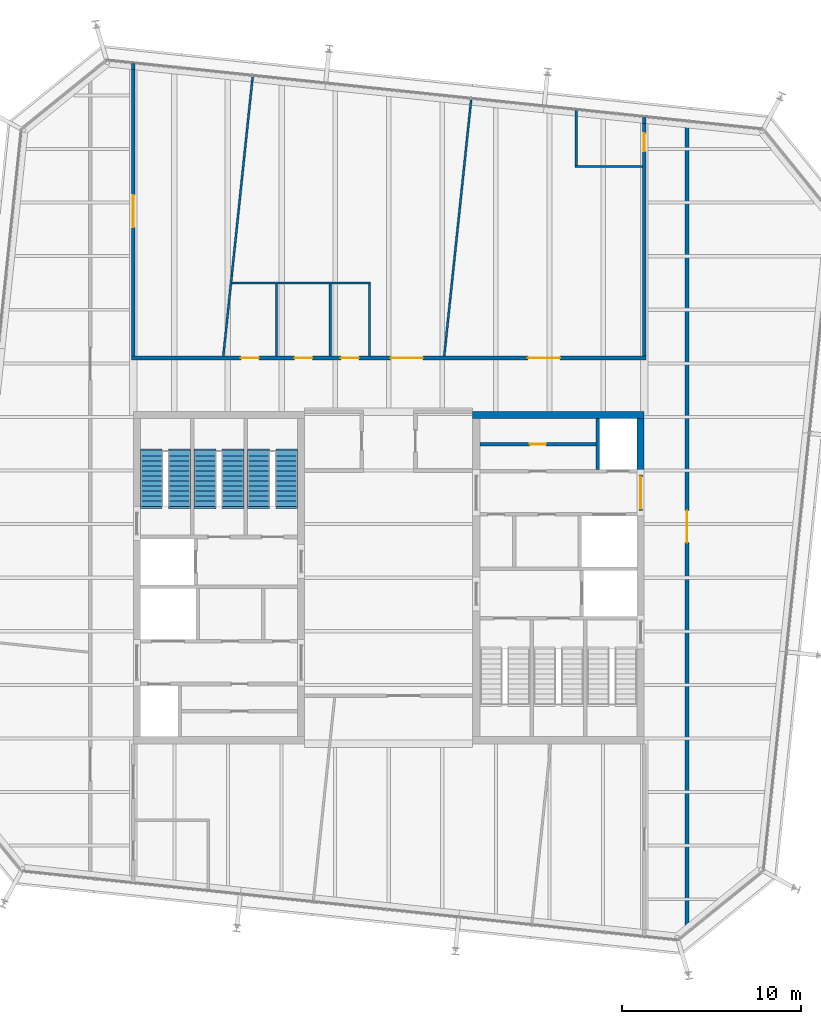
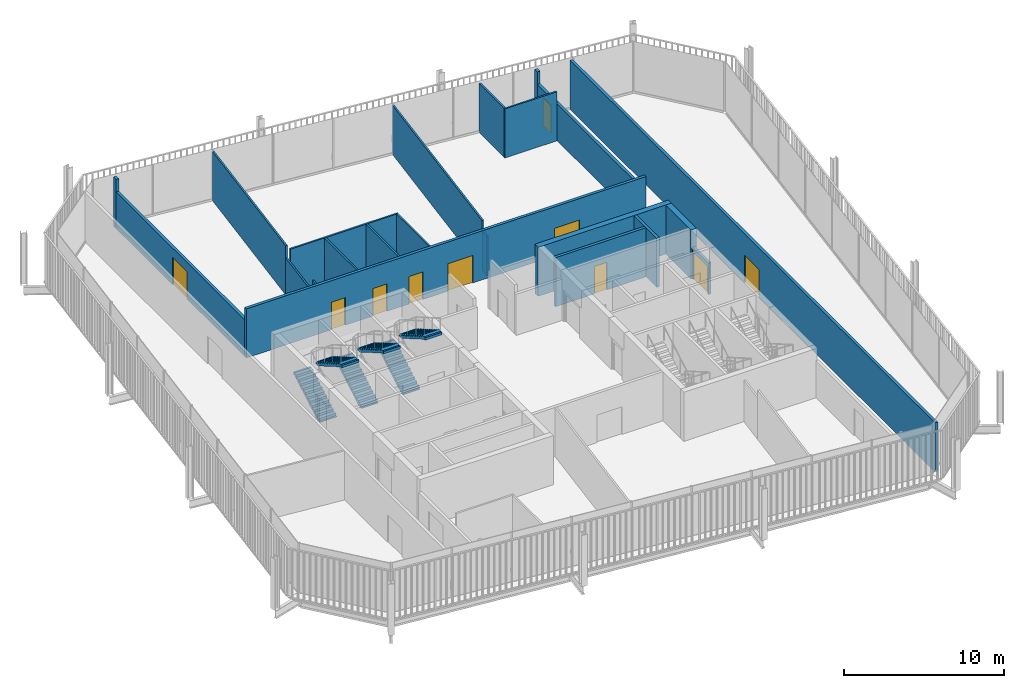
# One storey, part 18 of 20: 22 walls, 10 doors, 6 stair flights, 10 openings, 3 elements without a shape of their own.
"""IFC4 building model written with IfcOpenShell, lengths in metres."""

from ifc_helpers import new_model, si_unit, direction, frame, frame_2d, origin, place, context, subcontext, project, spatial, polyline, rectangle, outline, extrude, material, layer, layer_set, type_object, element, fill, aggregate, save


model = new_model("IFC4")

# Units and contexts
model_context = context("Model", 3, precision=1e-05, world=origin(), true_north=direction((0.0, 1.0)))
body_context = subcontext(model_context, "Body", "Model", "MODEL_VIEW")
ifc_project = project(units=[si_unit("LENGTHUNIT", "METRE"), si_unit("AREAUNIT", "SQUARE_METRE"), si_unit("VOLUMEUNIT", "CUBIC_METRE"), si_unit("PLANEANGLEUNIT", "RADIAN"), si_unit("MASSUNIT", "GRAM", prefix="KILO")], contexts=[model_context])

# Site, building, storey
site_placement = place(None, origin())
site = spatial("IfcSite", under=ifc_project, at=site_placement, CompositionType="ELEMENT")
building_placement = place(site_placement, origin())
building = spatial("IfcBuilding", under=site, at=building_placement, Name="Millrace Tower", CompositionType="ELEMENT")
storey_placement = place(building_placement, frame((0.0, 0.0, 303.300048828125)))
storey = spatial("IfcBuildingStorey", under=building, at=storey_placement, Name="L70", CompositionType="ELEMENT", Elevation=303.300048828125)

# Walls
ifc_material_1 = material(Name="Concrete C60", Category="concrete")
ifc_layer_1 = layer(ifc_material_1, 0.39990234375)
ifc_layer_set_1 = layer_set([ifc_layer_1], Name="Concrete C60")
wall_type_1 = type_object("IfcWallType", Name="Core wall 400 Concrete C60", PredefinedType="SHEAR", material=ifc_layer_set_1)
wall_1_placement = place(storey_placement, frame((14.300048828125, 9.10009765625, 0.0), z_axis=(0.0, 0.0, 1.0), x_axis=(-1.0, 0.0, 0.0)))
element("IfcWall", 1, at=wall_1_placement, inside=storey, type_object=wall_type_1, Name="Core wall E L70", PredefinedType="SHEAR", context=body_context, shape_type="SweptSolid", body=[
    extrude(rectangle(XDim=9.60009765625, YDim=0.39990234375, at=frame_2d((4.800048828125, 0.0))), origin(), (0.0, 0.0, 1.0), 3.739990234375),
])
wall_2_placement = place(storey_placement, frame((14.10009765625, 8.89990234375, 0.0), z_axis=(0.0, 0.0, 1.0), x_axis=(0.0, -1.0, 0.0)))
element("IfcWall", 2, at=wall_2_placement, inside=storey, type_object=wall_type_1, Name="Core wall E L70", PredefinedType="SHEAR", context=body_context, shape_type="SweptSolid", body=[
    extrude(rectangle(XDim=3.14990234375, YDim=0.39990234375, at=frame_2d((1.574951171875, 0.0))), origin(), (0.0, 0.0, 1.0), 3.739990234375),
])

# Wall, openings, doors
ifc_material_2 = material(Name="Masonry partition, fire-rated", Category="masonry")
ifc_layer_2 = layer(ifc_material_2, 0.199951171875)
ifc_layer_set_2 = layer_set([ifc_layer_2], Name="Masonry partition, fire-rated")
wall_type_2 = type_object("IfcWallType", Name="Corridor wall 200", PredefinedType="PARTITIONING", material=ifc_layer_set_2)
wall_3_placement = place(storey_placement, frame((-14.39990234375, 12.300048828125, 0.0), z_axis=(0.0, 0.0, 1.0), x_axis=(1.0, 0.0, 0.0)))
wall_3 = element("IfcWall", 3, at=wall_3_placement, inside=storey, type_object=wall_type_2, Name="Corridor wall L70", PredefinedType="PARTITIONING", context=body_context, shape_type="SweptSolid", body=[
    extrude(rectangle(XDim=28.7998046875, YDim=0.199951171875, at=frame_2d((14.39990234375, 0.0))), origin(), (0.0, 0.0, 1.0), 3.739990234375),
])
opening_1_placement = place(wall_3_placement, frame((14.512939453125, 0.0, 0.0)))
opening_1 = element("IfcOpeningElement", 4, at=opening_1_placement, cuts=wall_3, Name="Opening 70-P006", PredefinedType="OPENING", context=body_context, shape_type="SweptSolid", body=[
    extrude(rectangle(XDim=1.800048828125, YDim=2.10009765625, at=frame_2d((0.89990234375, 1.050048828125))), frame((0.0, 0.10986328125, 0.0), z_axis=(0.0, -1.0, 0.0), x_axis=(1.0, 0.0, 0.0)), (0.0, 0.0, 1.0), 0.219970703125),
])
opening_2_placement = place(wall_3_placement, frame((22.198486328125, 0.0, 0.0)))
opening_2 = element("IfcOpeningElement", 5, at=opening_2_placement, cuts=wall_3, Name="Opening 70-P007", PredefinedType="OPENING", context=body_context, shape_type="SweptSolid", body=[
    extrude(rectangle(XDim=1.800048828125, YDim=2.10009765625, at=frame_2d((0.89990234375, 1.050048828125))), frame((0.0, 0.10986328125, 0.0), z_axis=(0.0, -1.0, 0.0), x_axis=(1.0, 0.0, 0.0)), (0.0, 0.0, 1.0), 0.219970703125),
])
opening_3_placement = place(wall_3_placement, frame((6.12890625, 0.0, 0.0)))
opening_3 = element("IfcOpeningElement", 6, at=opening_3_placement, cuts=wall_3, Name="Opening 70-P014", PredefinedType="OPENING", context=body_context, shape_type="SweptSolid", body=[
    extrude(rectangle(XDim=1.0, YDim=2.10009765625, at=frame_2d((0.5, 1.050048828125))), frame((0.0, 0.10986328125, 0.0), z_axis=(0.0, -1.0, 0.0), x_axis=(1.0, 0.0, 0.0)), (0.0, 0.0, 1.0), 0.219970703125),
])
opening_4_placement = place(wall_3_placement, frame((9.12890625, 0.0, 0.0)))
opening_4 = element("IfcOpeningElement", 7, at=opening_4_placement, cuts=wall_3, Name="Opening 70-P015", PredefinedType="OPENING", context=body_context, shape_type="SweptSolid", body=[
    extrude(rectangle(XDim=1.0, YDim=2.10009765625, at=frame_2d((0.5, 1.050048828125))), frame((0.0, 0.10986328125, 0.0), z_axis=(0.0, -1.0, 0.0), x_axis=(1.0, 0.0, 0.0)), (0.0, 0.0, 1.0), 0.219970703125),
])
opening_5_placement = place(wall_3_placement, frame((11.72900390625, 0.0, 0.0)))
opening_5 = element("IfcOpeningElement", 8, at=opening_5_placement, cuts=wall_3, Name="Opening 70-P016", PredefinedType="OPENING", context=body_context, shape_type="SweptSolid", body=[
    extrude(rectangle(XDim=1.0, YDim=2.10009765625, at=frame_2d((0.5, 1.050048828125))), frame((0.0, 0.10986328125, 0.0), z_axis=(0.0, -1.0, 0.0), x_axis=(1.0, 0.0, 0.0)), (0.0, 0.0, 1.0), 0.219970703125),
])
ifc_material_3 = material(Name="Steel door set, fire-rated", Category="steel")
door_type_1 = type_object("IfcDoorType", Name="Corridor door 1000 x 2100", OperationType="SINGLE_SWING_LEFT", PredefinedType="DOOR", material=ifc_material_3)
door_1_placement = place(opening_3_placement, origin())
door_1 = element("IfcDoor", 9, at=door_1_placement, inside=storey, type_object=door_type_1, Name="Door 70-P014", OperationType="SINGLE_SWING_LEFT", OverallHeight=2.10009765625, OverallWidth=1.0, PredefinedType="DOOR", context=body_context, shape_type="SweptSolid", body=[
    extrude(rectangle(XDim=1.0, YDim=2.10009765625, at=frame_2d((0.5, 1.050048828125))), frame((0.0, 0.02490234375, 0.0), z_axis=(0.0, -1.0, 0.0), x_axis=(1.0, 0.0, 0.0)), (0.0, 0.0, 1.0), 0.050048828125),
])
fill(opening_3, door_1)
door_2_placement = place(opening_4_placement, origin())
door_2 = element("IfcDoor", 10, at=door_2_placement, inside=storey, type_object=door_type_1, Name="Door 70-P015", OperationType="SINGLE_SWING_LEFT", OverallHeight=2.10009765625, OverallWidth=1.0, PredefinedType="DOOR", context=body_context, shape_type="SweptSolid", body=[
    extrude(rectangle(XDim=1.0, YDim=2.10009765625, at=frame_2d((0.5, 1.050048828125))), frame((0.0, 0.02490234375, 0.0), z_axis=(0.0, -1.0, 0.0), x_axis=(1.0, 0.0, 0.0)), (0.0, 0.0, 1.0), 0.050048828125),
])
fill(opening_4, door_2)
door_3_placement = place(opening_5_placement, origin())
door_3 = element("IfcDoor", 11, at=door_3_placement, inside=storey, type_object=door_type_1, Name="Door 70-P016", OperationType="SINGLE_SWING_LEFT", OverallHeight=2.10009765625, OverallWidth=1.0, PredefinedType="DOOR", context=body_context, shape_type="SweptSolid", body=[
    extrude(rectangle(XDim=1.0, YDim=2.10009765625, at=frame_2d((0.5, 1.050048828125))), frame((0.0, 0.02490234375, 0.0), z_axis=(0.0, -1.0, 0.0), x_axis=(1.0, 0.0, 0.0)), (0.0, 0.0, 1.0), 0.050048828125),
])
fill(opening_5, door_3)
ifc_material_4 = material(Name="Steel door set, fire-rated", Category="steel")
door_type_2 = type_object("IfcDoorType", Name="Corridor door 1800 x 2100", OperationType="DOUBLE_DOOR_SINGLE_SWING", PredefinedType="DOOR", material=ifc_material_4)
door_4_placement = place(opening_1_placement, frame((1.800048828125, 0.0, 0.0), z_axis=(0.0, 0.0, 1.0), x_axis=(-1.0, 0.0, 0.0)))
door_4 = element("IfcDoor", 12, at=door_4_placement, inside=storey, type_object=door_type_2, Name="Door 70-P006", OperationType="DOUBLE_DOOR_SINGLE_SWING", OverallHeight=2.10009765625, OverallWidth=1.800048828125, PredefinedType="DOOR", context=body_context, shape_type="SweptSolid", body=[
    extrude(rectangle(XDim=1.800048828125, YDim=2.10009765625, at=frame_2d((0.89990234375, 1.050048828125))), frame((0.0, 0.02490234375, 0.0), z_axis=(0.0, -1.0, 0.0), x_axis=(1.0, 0.0, 0.0)), (0.0, 0.0, 1.0), 0.050048828125),
])
fill(opening_1, door_4)
door_5_placement = place(opening_2_placement, origin())
door_5 = element("IfcDoor", 13, at=door_5_placement, inside=storey, type_object=door_type_2, Name="Door 70-P007", OperationType="DOUBLE_DOOR_SINGLE_SWING", OverallHeight=2.10009765625, OverallWidth=1.800048828125, PredefinedType="DOOR", context=body_context, shape_type="SweptSolid", body=[
    extrude(rectangle(XDim=1.800048828125, YDim=2.10009765625, at=frame_2d((0.89990234375, 1.050048828125))), frame((0.0, 0.02490234375, 0.0), z_axis=(0.0, -1.0, 0.0), x_axis=(1.0, 0.0, 0.0)), (0.0, 0.0, 1.0), 0.050048828125),
])
fill(opening_2, door_5)

# Wall, opening, door
wall_4_placement = place(storey_placement, frame((16.699951171875, -20.01416015625, 0.0), z_axis=(0.0, 0.0, 1.0), x_axis=(0.0, 1.0, 0.0)))
wall_4 = element("IfcWall", 14, at=wall_4_placement, inside=storey, type_object=wall_type_2, Name="Corridor wall L70", PredefinedType="PARTITIONING", context=body_context, shape_type="SweptSolid", body=[
    extrude(rectangle(XDim=45.535400390625, YDim=0.199951171875, at=frame_2d((22.767578125, 0.0))), origin(), (0.0, 0.0, 1.0), 3.739990234375),
])
opening_6_placement = place(wall_4_placement, frame((21.974609375, 0.0, 0.0)))
opening_6 = element("IfcOpeningElement", 15, at=opening_6_placement, cuts=wall_4, Name="Opening 70-P009", PredefinedType="OPENING", context=body_context, shape_type="SweptSolid", body=[
    extrude(rectangle(XDim=1.800048828125, YDim=2.10009765625, at=frame_2d((0.89990234375, 1.050048828125))), frame((0.0, 0.10986328125, 0.0), z_axis=(0.0, -1.0, 0.0), x_axis=(1.0, 0.0, 0.0)), (0.0, 0.0, 1.0), 0.219970703125),
])
door_6_placement = place(opening_6_placement, origin())
door_6 = element("IfcDoor", 16, at=door_6_placement, inside=storey, type_object=door_type_2, Name="Door 70-P009", OperationType="DOUBLE_DOOR_SINGLE_SWING", OverallHeight=2.10009765625, OverallWidth=1.800048828125, PredefinedType="DOOR", context=body_context, shape_type="SweptSolid", body=[
    extrude(rectangle(XDim=1.800048828125, YDim=2.10009765625, at=frame_2d((0.89990234375, 1.050048828125))), frame((0.0, 0.02490234375, 0.0), z_axis=(0.0, -1.0, 0.0), x_axis=(1.0, 0.0, 0.0)), (0.0, 0.0, 1.0), 0.050048828125),
])
fill(opening_6, door_6)

wall_5_placement = place(storey_placement, frame((14.300048828125, 12.39990234375, 0.0), z_axis=(0.0, 0.0, 1.0), x_axis=(0.0, 1.0, 0.0)))
wall_5 = element("IfcWall", 17, at=wall_5_placement, inside=storey, type_object=wall_type_2, Name="Corridor wall L70", PredefinedType="PARTITIONING", context=body_context, shape_type="SweptSolid", body=[
    extrude(rectangle(XDim=13.034423828125, YDim=0.199951171875, at=frame_2d((6.51708984375, 0.0))), origin(), (0.0, 0.0, 1.0), 2.79248046875),
])
opening_7_placement = place(wall_5_placement, frame((11.472900390625, 0.0, 0.0)))
opening_7 = element("IfcOpeningElement", 18, at=opening_7_placement, cuts=wall_5, Name="Opening 70-P008", PredefinedType="OPENING", context=body_context, shape_type="SweptSolid", body=[
    extrude(rectangle(XDim=1.0, YDim=2.10009765625, at=frame_2d((0.5, 1.050048828125))), frame((0.0, 0.10986328125, 0.0), z_axis=(0.0, -1.0, 0.0), x_axis=(1.0, 0.0, 0.0)), (0.0, 0.0, 1.0), 0.219970703125),
])
door_7_placement = place(opening_7_placement, origin())
door_7 = element("IfcDoor", 19, at=door_7_placement, inside=storey, type_object=door_type_1, Name="Door 70-P008", OperationType="SINGLE_SWING_RIGHT", OverallHeight=2.10009765625, OverallWidth=1.0, PredefinedType="DOOR", context=body_context, shape_type="SweptSolid", body=[
    extrude(rectangle(XDim=1.0, YDim=2.10009765625, at=frame_2d((0.5, 1.050048828125))), frame((0.0, 0.02490234375, 0.0), z_axis=(0.0, -1.0, 0.0), x_axis=(1.0, 0.0, 0.0)), (0.0, 0.0, 1.0), 0.050048828125),
])
fill(opening_7, door_7)

# Wall
wall_6_placement = place(storey_placement, frame((14.300048828125, 25.434326171875, 0.0), z_axis=(0.0, 0.0, 1.0), x_axis=(0.0, 1.0, 0.0)))
element("IfcWall", 20, at=wall_6_placement, inside=storey, type_object=wall_type_2, Name="Corridor wall L70", PredefinedType="PARTITIONING", context=body_context, shape_type="SweptSolid", body=[
    extrude(rectangle(XDim=0.339111328125, YDim=0.199951171875, at=frame_2d((0.16943359375, 0.0))), origin(), (0.0, 0.0, 1.0), 3.739990234375),
])

# Wall, opening, door
wall_7_placement = place(storey_placement, frame((-14.300048828125, 12.39990234375, 0.0), z_axis=(0.0, 0.0, 1.0), x_axis=(0.0, 1.0, 0.0)))
wall_7 = element("IfcWall", 21, at=wall_7_placement, inside=storey, type_object=wall_type_2, Name="Corridor wall L70", PredefinedType="PARTITIONING", context=body_context, shape_type="SweptSolid", body=[
    extrude(rectangle(XDim=16.040283203125, YDim=0.199951171875, at=frame_2d((8.02001953125, 0.0))), origin(), (0.0, 0.0, 1.0), 2.79248046875),
])
opening_8_placement = place(wall_7_placement, frame((7.214599609375, 0.0, 0.0)))
opening_8 = element("IfcOpeningElement", 22, at=opening_8_placement, cuts=wall_7, Name="Opening 70-P005", PredefinedType="OPENING", context=body_context, shape_type="SweptSolid", body=[
    extrude(rectangle(XDim=1.800048828125, YDim=2.10009765625, at=frame_2d((0.89990234375, 1.050048828125))), frame((0.0, 0.10986328125, 0.0), z_axis=(0.0, -1.0, 0.0), x_axis=(1.0, 0.0, 0.0)), (0.0, 0.0, 1.0), 0.219970703125),
])
door_8_placement = place(opening_8_placement, frame((1.800048828125, 0.0, 0.0), z_axis=(0.0, 0.0, 1.0), x_axis=(-1.0, 0.0, 0.0)))
door_8 = element("IfcDoor", 23, at=door_8_placement, inside=storey, type_object=door_type_2, Name="Door 70-P005", OperationType="DOUBLE_DOOR_SINGLE_SWING", OverallHeight=2.10009765625, OverallWidth=1.800048828125, PredefinedType="DOOR", context=body_context, shape_type="SweptSolid", body=[
    extrude(rectangle(XDim=1.800048828125, YDim=2.10009765625, at=frame_2d((0.89990234375, 1.050048828125))), frame((0.0, 0.02490234375, 0.0), z_axis=(0.0, -1.0, 0.0), x_axis=(1.0, 0.0, 0.0)), (0.0, 0.0, 1.0), 0.050048828125),
])
fill(opening_8, door_8)

# Walls
wall_8_placement = place(storey_placement, frame((-14.300048828125, 28.440185546875, 0.0), z_axis=(0.0, 0.0, 1.0), x_axis=(0.0, 1.0, 0.0)))
element("IfcWall", 24, at=wall_8_placement, inside=storey, type_object=wall_type_2, Name="Corridor wall L70", PredefinedType="PARTITIONING", context=body_context, shape_type="SweptSolid", body=[
    extrude(rectangle(XDim=0.33935546875, YDim=0.199951171875, at=frame_2d((0.169677734375, 0.0))), origin(), (0.0, 0.0, 1.0), 3.739990234375),
])
ifc_material_5 = material(Name="Masonry partition, fire-rated", Category="masonry")
ifc_layer_3 = layer(ifc_material_5, 0.199951171875)
ifc_layer_set_3 = layer_set([ifc_layer_3], Name="Masonry partition, fire-rated")
wall_type_3 = type_object("IfcWallType", Name="Lift shaft wall 200", PredefinedType="PARTITIONING", material=ifc_layer_set_3)
wall_9_placement = place(storey_placement, frame((11.699951171875, 8.89990234375, 0.0), z_axis=(0.0, 0.0, 1.0), x_axis=(0.0, -1.0, 0.0)))
element("IfcWall", 25, at=wall_9_placement, inside=storey, type_object=wall_type_3, Name="Lift shaft wall E L70", PredefinedType="PARTITIONING", context=body_context, shape_type="SweptSolid", body=[
    extrude(rectangle(XDim=2.849853515625, YDim=0.199951171875, at=frame_2d((1.4248046875, 0.0))), origin(), (0.0, 0.0, 1.0), 3.739990234375),
])

# Wall, opening, door
ifc_material_6 = material(Name="Masonry partition, fire-rated", Category="masonry")
ifc_layer_4 = layer(ifc_material_6, 0.199951171875)
ifc_layer_set_4 = layer_set([ifc_layer_4], Name="Masonry partition, fire-rated")
wall_type_4 = type_object("IfcWallType", Name="Lobby wall 200", PredefinedType="PARTITIONING", material=ifc_layer_set_4)
wall_10_placement = place(storey_placement, frame((14.10009765625, 5.75, 0.0), z_axis=(0.0, 0.0, 1.0), x_axis=(0.0, -1.0, 0.0)))
wall_10 = element("IfcWall", 26, at=wall_10_placement, inside=storey, type_object=wall_type_4, Name="Lobby wall E L70", PredefinedType="PARTITIONING", context=body_context, shape_type="SweptSolid", body=[
    extrude(rectangle(XDim=2.0, YDim=0.199951171875, at=frame_2d((1.0, 0.0))), origin(), (0.0, 0.0, 1.0), 2.39990234375),
])
opening_9_placement = place(wall_10_placement, frame((0.10009765625, 0.0, 0.0)))
opening_9 = element("IfcOpeningElement", 27, at=opening_9_placement, cuts=wall_10, Name="Opening 70-C011", PredefinedType="OPENING", context=body_context, shape_type="SweptSolid", body=[
    extrude(rectangle(XDim=1.800048828125, YDim=2.10009765625, at=frame_2d((0.89990234375, 1.050048828125))), frame((0.0, 0.10986328125, 0.0), z_axis=(0.0, -1.0, 0.0), x_axis=(1.0, 0.0, 0.0)), (0.0, 0.0, 1.0), 0.219970703125),
])
ifc_material_7 = material(Name="Steel door, fire-rated", Category="steel")
door_type_3 = type_object("IfcDoorType", Name="Lobby door 1800 x 2100", OperationType="DOUBLE_DOOR_SINGLE_SWING", PredefinedType="DOOR", material=ifc_material_7)
door_9_placement = place(opening_9_placement, origin())
door_9 = element("IfcDoor", 28, at=door_9_placement, inside=storey, type_object=door_type_3, Name="Lobby door 70-C011", OperationType="DOUBLE_DOOR_SINGLE_SWING", OverallHeight=2.10009765625, OverallWidth=1.800048828125, PredefinedType="DOOR", context=body_context, shape_type="SweptSolid", body=[
    extrude(rectangle(XDim=1.800048828125, YDim=2.10009765625, at=frame_2d((0.89990234375, 1.050048828125))), frame((0.0, 0.02490234375, 0.0), z_axis=(0.0, -1.0, 0.0), x_axis=(1.0, 0.0, 0.0)), (0.0, 0.0, 1.0), 0.050048828125),
])
fill(opening_9, door_9)

# Walls
ifc_material_8 = material(Name="Gypsum board partition")
ifc_layer_5 = layer(ifc_material_8, 0.1201171875)
ifc_layer_set_5 = layer_set([ifc_layer_5], Name="Gypsum board partition")
wall_type_5 = type_object("IfcWallType", Name="Partition wall 120", PredefinedType="PARTITIONING", material=ifc_layer_set_5)
wall_11_placement = place(storey_placement, frame((-8.76904296875, 16.5, 0.0), z_axis=(0.0, 0.0, 1.0), x_axis=(1.0, 0.0, 0.0)))
element("IfcWall", 29, at=wall_11_placement, inside=storey, type_object=wall_type_5, Name="Partition wall L70", PredefinedType="PARTITIONING", context=body_context, shape_type="SweptSolid", body=[
    extrude(rectangle(XDim=7.758056640625, YDim=0.1201171875, at=frame_2d((3.87890625, 0.0))), origin(), (0.0, 0.0, 1.0), 3.739990234375),
])
wall_12_placement = place(storey_placement, frame((10.43994140625, 23.02294921875, 0.0), z_axis=(0.0, 0.0, 1.0), x_axis=(1.0, 0.0, 0.0)))
element("IfcWall", 30, at=wall_12_placement, inside=storey, type_object=wall_type_5, Name="Partition wall L70", PredefinedType="PARTITIONING", context=body_context, shape_type="SweptSolid", body=[
    extrude(rectangle(XDim=3.760009765625, YDim=0.1201171875, at=frame_2d((1.8798828125, 0.0))), origin(), (0.0, 0.0, 1.0), 3.739990234375),
])
wall_13_placement = place(storey_placement, frame((3.107421875, 12.3994140625, 0.0), z_axis=(0.0, 0.0, 1.0), x_axis=(0.104651768543, 0.994508927733, 0.0)))
element("IfcWall", 31, at=wall_13_placement, inside=storey, type_object=wall_type_5, Name="Partition wall L70", PredefinedType="PARTITIONING", context=body_context, shape_type="SweptSolid", body=[
    extrude(rectangle(XDim=0.769775390625, YDim=0.1201171875, at=frame_2d((0.384765625, 0.0))), origin(), (0.0, 0.0, 1.0), 3.046630859375),
])
wall_14_placement = place(storey_placement, frame((3.18798828125, 13.1650390625, 0.0), z_axis=(0.0, 0.0, 1.0), x_axis=(0.104546573109, 0.994519991781, 0.0)))
element("IfcWall", 32, at=wall_14_placement, inside=storey, type_object=wall_type_5, Name="Partition wall L70", PredefinedType="PARTITIONING", context=body_context, shape_type="SweptSolid", body=[
    extrude(rectangle(XDim=13.700927734375, YDim=0.1201171875, at=frame_2d((6.8505859375, 0.0))), origin(), (0.0, 0.0, 1.0), 3.739990234375),
])
wall_15_placement = place(storey_placement, frame((-9.259765625, 12.3994140625, 0.0), z_axis=(0.0, 0.0, 1.0), x_axis=(0.104341736963, 0.994541503371, 0.0)))
element("IfcWall", 33, at=wall_15_placement, inside=storey, type_object=wall_type_5, Name="Partition wall L70", PredefinedType="PARTITIONING", context=body_context, shape_type="SweptSolid", body=[
    extrude(rectangle(XDim=0.444580078125, YDim=0.1201171875, at=frame_2d((0.22216796875, 0.0))), origin(), (0.0, 0.0, 1.0), 3.739990234375),
])
wall_16_placement = place(storey_placement, frame((-9.21337890625, 12.841552734375, 0.0), z_axis=(0.0, 0.0, 1.0), x_axis=(0.104498067841, 0.994525089587, 0.0)))
element("IfcWall", 34, at=wall_16_placement, inside=storey, type_object=wall_type_5, Name="Partition wall L70", PredefinedType="PARTITIONING", context=body_context, shape_type="SweptSolid", body=[
    extrude(rectangle(XDim=4.083984375, YDim=0.1201171875, at=frame_2d((2.0419921875, 0.0))), origin(), (0.0, 0.0, 1.0), 2.812744140625),
])
wall_17_placement = place(storey_placement, frame((-8.78662109375, 16.903076171875, 0.0), z_axis=(0.0, 0.0, 1.0), x_axis=(0.104478910741, 0.994527102301, 0.0)))
element("IfcWall", 35, at=wall_17_placement, inside=storey, type_object=wall_type_5, Name="Partition wall L70", PredefinedType="PARTITIONING", context=body_context, shape_type="SweptSolid", body=[
    extrude(rectangle(XDim=11.235107421875, YDim=0.1201171875, at=frame_2d((5.61767578125, 0.0))), origin(), (0.0, 0.0, 1.0), 3.739990234375),
])
wall_18_placement = place(storey_placement, frame((10.5, 23.0830078125, 0.0), z_axis=(0.0, 0.0, 1.0), x_axis=(0.0, 1.0, 0.0)))
element("IfcWall", 36, at=wall_18_placement, inside=storey, type_object=wall_type_5, Name="Partition wall L70", PredefinedType="PARTITIONING", context=body_context, shape_type="SweptSolid", body=[
    extrude(rectangle(XDim=3.08984375, YDim=0.1201171875, at=frame_2d((1.544921875, 0.0))), origin(), (0.0, 0.0, 1.0), 3.739990234375),
])
for number, where, z_axis, x_axis, name in (
    (37, (-1.071044921875, 12.39990234375, 0.0), (0.0, 0.0, 1.0), (0.0, 1.0, 0.0), "Partition wall L70"),
    (38, (-3.27099609375, 12.39990234375, 0.0), (0.0, 0.0, 1.0), (0.0, 1.0, 0.0), "Partition wall L70"),
    (39, (-6.27099609375, 12.39990234375, 0.0), (0.0, 0.0, 1.0), (0.0, 1.0, 0.0), "Partition wall L70"),
):
    element("IfcWall", number, at=place(storey_placement, frame(where, z_axis=z_axis, x_axis=x_axis)), inside=storey, type_object=wall_type_5, Name=name, PredefinedType="PARTITIONING", context=body_context, shape_type="SweptSolid", body=[
        extrude(rectangle(XDim=4.0400390625, YDim=0.1201171875, at=frame_2d((2.02001953125, 0.0))), origin(), (0.0, 0.0, 1.0), 3.739990234375),
    ])

# Wall, opening, door
ifc_material_9 = material(Name="Masonry partition, fire-rated", Category="masonry")
ifc_layer_6 = layer(ifc_material_9, 0.199951171875)
ifc_layer_set_6 = layer_set([ifc_layer_6], Name="Masonry partition, fire-rated")
wall_type_6 = type_object("IfcWallType", Name="Room partition 200", PredefinedType="PARTITIONING", material=ifc_layer_set_6)
wall_19_placement = place(storey_placement, frame((11.60009765625, 7.47509765625, 0.0), z_axis=(0.0, 0.0, 1.0), x_axis=(-1.0, 0.0, 0.0)))
wall_19 = element("IfcWall", 40, at=wall_19_placement, inside=storey, type_object=wall_type_6, Name="Room partition E L70", PredefinedType="PARTITIONING", context=body_context, shape_type="SweptSolid", body=[
    extrude(rectangle(XDim=6.5, YDim=0.199951171875, at=frame_2d((3.25, 0.0))), origin(), (0.0, 0.0, 1.0), 3.739990234375),
])
opening_10_placement = place(wall_19_placement, frame((2.800048828125, 0.0, 0.0)))
opening_10 = element("IfcOpeningElement", 41, at=opening_10_placement, cuts=wall_19, Name="Opening 70-C016", PredefinedType="OPENING", context=body_context, shape_type="SweptSolid", body=[
    extrude(rectangle(XDim=0.89990234375, YDim=2.10009765625, at=frame_2d((0.449951171875, 1.050048828125))), frame((0.0, 0.10986328125, 0.0), z_axis=(0.0, -1.0, 0.0), x_axis=(1.0, 0.0, 0.0)), (0.0, 0.0, 1.0), 0.219970703125),
])
ifc_material_10 = material(Name="Steel door, fire-rated", Category="steel")
door_type_4 = type_object("IfcDoorType", Name="Service room door 900 x 2100", OperationType="SINGLE_SWING_LEFT", PredefinedType="DOOR", material=ifc_material_10)
door_10_placement = place(opening_10_placement, frame((0.89990234375, 0.0, 0.0), z_axis=(0.0, 0.0, 1.0), x_axis=(-1.0, 0.0, 0.0)))
door_10 = element("IfcDoor", 42, at=door_10_placement, inside=storey, type_object=door_type_4, Name="Service room door 70-C016", OperationType="SINGLE_SWING_RIGHT", OverallHeight=2.10009765625, OverallWidth=0.89990234375, PredefinedType="DOOR", context=body_context, shape_type="SweptSolid", body=[
    extrude(rectangle(XDim=0.89990234375, YDim=2.10009765625, at=frame_2d((0.449951171875, 1.050048828125))), frame((0.0, 0.02490234375, 0.0), z_axis=(0.0, -1.0, 0.0), x_axis=(1.0, 0.0, 0.0)), (0.0, 0.0, 1.0), 0.050048828125),
])
fill(opening_10, door_10)

# Stair, stair flights
ifc_material_11 = material(Name="Concrete C35", Category="concrete")
stair_type = type_object("IfcStairType", Name="Exit stair", PredefinedType="HALF_TURN_STAIR", material=ifc_material_11)
placement = place(storey_placement, origin())
stair_1 = element("IfcStair", 43, at=placement, inside=storey, type_object=stair_type, Name="Stair 1 W L70", PredefinedType="HALF_TURN_STAIR")
ifc_material_12 = material(Name="Concrete C35", Category="concrete")
stair_flight_type = type_object("IfcStairFlightType", Name="Exit stair flight", PredefinedType="STRAIGHT", material=ifc_material_12)
stair_flight_1_placement = place(storey_placement, frame((-13.2900390625, 4.0, 0.0), z_axis=(0.0, 0.0, 1.0), x_axis=(0.0, 1.0, 0.0)))
stair_flight_1 = element("IfcStairFlight", 44, at=stair_flight_1_placement, type_object=stair_flight_type, Name="ST12 flight 1", NumberOfRisers=12, NumberOfTreads=11, PredefinedType="STRAIGHT", RiserHeight=0.1625, TreadLength=0.28, context=body_context, shape_type="SweptSolid", body=[
    extrude(outline(polyline([(-0.1201171875, -0.0400390625), (-0.1201171875, 0.0), (0.0, 0.0), (0.0, 0.16259765625), (0.280029296875, 0.16259765625), (0.280029296875, 0.324951171875), (0.56005859375, 0.324951171875), (0.56005859375, 0.487548828125), (0.840087890625, 0.487548828125), (0.840087890625, 0.64990234375), (1.1201171875, 0.64990234375), (1.1201171875, 0.8125), (1.39990234375, 0.8125), (1.39990234375, 0.97509765625), (1.679931640625, 0.97509765625), (1.679931640625, 1.137451171875), (1.9599609375, 1.137451171875), (1.9599609375, 1.300048828125), (2.239990234375, 1.300048828125), (2.239990234375, 1.46240234375), (2.52001953125, 1.46240234375), (2.52001953125, 1.625), (2.800048828125, 1.625), (2.800048828125, 1.78759765625), (3.080078125, 1.78759765625), (3.080078125, 1.8076171875), (3.199951171875, 1.8076171875), (3.199951171875, 1.6142578125), (3.080078125, 1.6142578125), (0.298583984375, 0.0), (0.298583984375, -0.0400390625), (-0.1201171875, -0.0400390625)])), frame((0.0, 0.60986328125, 0.0), z_axis=(0.0, -1.0, 0.0), x_axis=(1.0, 0.0, 0.0)), (0.0, 0.0, 1.0), 1.219970703125),
])
stair_flight_2_placement = place(storey_placement, frame((-11.7099609375, 7.080078125, 1.949951171875), z_axis=(0.0, 0.0, 1.0), x_axis=(0.0, -1.0, 0.0)))
stair_flight_2 = element("IfcStairFlight", 45, at=stair_flight_2_placement, type_object=stair_flight_type, Name="ST12 flight 2", NumberOfRisers=12, NumberOfTreads=11, PredefinedType="STRAIGHT", RiserHeight=0.1625, TreadLength=0.28, context=body_context, shape_type="SweptSolid", body=[
    extrude(outline(polyline([(-0.1201171875, -0.0400390625), (-0.1201171875, 0.0), (0.0, 0.0), (0.0, 0.16259765625), (0.280029296875, 0.16259765625), (0.280029296875, 0.324951171875), (0.56005859375, 0.324951171875), (0.56005859375, 0.487548828125), (0.840087890625, 0.487548828125), (0.840087890625, 0.64990234375), (1.1201171875, 0.64990234375), (1.1201171875, 0.8125), (1.39990234375, 0.8125), (1.39990234375, 0.97509765625), (1.679931640625, 0.97509765625), (1.679931640625, 1.137451171875), (1.9599609375, 1.137451171875), (1.9599609375, 1.300048828125), (2.239990234375, 1.300048828125), (2.239990234375, 1.46240234375), (2.52001953125, 1.46240234375), (2.52001953125, 1.625), (2.800048828125, 1.625), (2.800048828125, 1.78759765625), (3.080078125, 1.78759765625), (3.080078125, 1.8076171875), (3.199951171875, 1.8076171875), (3.199951171875, 1.6142578125), (3.080078125, 1.6142578125), (0.298583984375, 0.0), (0.298583984375, -0.0400390625), (-0.1201171875, -0.0400390625)])), frame((0.0, 0.60986328125, 0.0), z_axis=(0.0, -1.0, 0.0), x_axis=(1.0, 0.0, 0.0)), (0.0, 0.0, 1.0), 1.219970703125),
])
aggregate(stair_1, [stair_flight_1, stair_flight_2])

stair_2 = element("IfcStair", 46, at=placement, inside=storey, type_object=stair_type, Name="Stair 2 W L70", PredefinedType="HALF_TURN_STAIR")
stair_flight_3_placement = place(storey_placement, frame((-10.2900390625, 4.0, 0.0), z_axis=(0.0, 0.0, 1.0), x_axis=(0.0, 1.0, 0.0)))
stair_flight_3 = element("IfcStairFlight", 47, at=stair_flight_3_placement, type_object=stair_flight_type, Name="ST12 flight 1", NumberOfRisers=12, NumberOfTreads=11, PredefinedType="STRAIGHT", RiserHeight=0.1625, TreadLength=0.28, context=body_context, shape_type="SweptSolid", body=[
    extrude(outline(polyline([(-0.1201171875, -0.0400390625), (-0.1201171875, 0.0), (0.0, 0.0), (0.0, 0.16259765625), (0.280029296875, 0.16259765625), (0.280029296875, 0.324951171875), (0.56005859375, 0.324951171875), (0.56005859375, 0.487548828125), (0.840087890625, 0.487548828125), (0.840087890625, 0.64990234375), (1.1201171875, 0.64990234375), (1.1201171875, 0.8125), (1.39990234375, 0.8125), (1.39990234375, 0.97509765625), (1.679931640625, 0.97509765625), (1.679931640625, 1.137451171875), (1.9599609375, 1.137451171875), (1.9599609375, 1.300048828125), (2.239990234375, 1.300048828125), (2.239990234375, 1.46240234375), (2.52001953125, 1.46240234375), (2.52001953125, 1.625), (2.800048828125, 1.625), (2.800048828125, 1.78759765625), (3.080078125, 1.78759765625), (3.080078125, 1.8076171875), (3.199951171875, 1.8076171875), (3.199951171875, 1.6142578125), (3.080078125, 1.6142578125), (0.298583984375, 0.0), (0.298583984375, -0.0400390625), (-0.1201171875, -0.0400390625)])), frame((0.0, 0.60986328125, 0.0), z_axis=(0.0, -1.0, 0.0), x_axis=(1.0, 0.0, 0.0)), (0.0, 0.0, 1.0), 1.219970703125),
])
stair_flight_4_placement = place(storey_placement, frame((-8.7099609375, 7.080078125, 1.949951171875), z_axis=(0.0, 0.0, 1.0), x_axis=(0.0, -1.0, 0.0)))
stair_flight_4 = element("IfcStairFlight", 48, at=stair_flight_4_placement, type_object=stair_flight_type, Name="ST12 flight 2", NumberOfRisers=12, NumberOfTreads=11, PredefinedType="STRAIGHT", RiserHeight=0.1625, TreadLength=0.28, context=body_context, shape_type="SweptSolid", body=[
    extrude(outline(polyline([(-0.1201171875, -0.0400390625), (-0.1201171875, 0.0), (0.0, 0.0), (0.0, 0.16259765625), (0.280029296875, 0.16259765625), (0.280029296875, 0.324951171875), (0.56005859375, 0.324951171875), (0.56005859375, 0.487548828125), (0.840087890625, 0.487548828125), (0.840087890625, 0.64990234375), (1.1201171875, 0.64990234375), (1.1201171875, 0.8125), (1.39990234375, 0.8125), (1.39990234375, 0.97509765625), (1.679931640625, 0.97509765625), (1.679931640625, 1.137451171875), (1.9599609375, 1.137451171875), (1.9599609375, 1.300048828125), (2.239990234375, 1.300048828125), (2.239990234375, 1.46240234375), (2.52001953125, 1.46240234375), (2.52001953125, 1.625), (2.800048828125, 1.625), (2.800048828125, 1.78759765625), (3.080078125, 1.78759765625), (3.080078125, 1.8076171875), (3.199951171875, 1.8076171875), (3.199951171875, 1.6142578125), (3.080078125, 1.6142578125), (0.298583984375, 0.0), (0.298583984375, -0.0400390625), (-0.1201171875, -0.0400390625)])), frame((0.0, 0.60986328125, 0.0), z_axis=(0.0, -1.0, 0.0), x_axis=(1.0, 0.0, 0.0)), (0.0, 0.0, 1.0), 1.219970703125),
])
aggregate(stair_2, [stair_flight_3, stair_flight_4])

stair_3 = element("IfcStair", 49, at=placement, inside=storey, type_object=stair_type, Name="Stair 3 W L70", PredefinedType="HALF_TURN_STAIR")
stair_flight_5_placement = place(storey_placement, frame((-7.2900390625, 4.0, 0.0), z_axis=(0.0, 0.0, 1.0), x_axis=(0.0, 1.0, 0.0)))
stair_flight_5 = element("IfcStairFlight", 50, at=stair_flight_5_placement, type_object=stair_flight_type, Name="ST12 flight 1", NumberOfRisers=12, NumberOfTreads=11, PredefinedType="STRAIGHT", RiserHeight=0.1625, TreadLength=0.28, context=body_context, shape_type="SweptSolid", body=[
    extrude(outline(polyline([(-0.1201171875, -0.0400390625), (-0.1201171875, 0.0), (0.0, 0.0), (0.0, 0.16259765625), (0.280029296875, 0.16259765625), (0.280029296875, 0.324951171875), (0.56005859375, 0.324951171875), (0.56005859375, 0.487548828125), (0.840087890625, 0.487548828125), (0.840087890625, 0.64990234375), (1.1201171875, 0.64990234375), (1.1201171875, 0.8125), (1.39990234375, 0.8125), (1.39990234375, 0.97509765625), (1.679931640625, 0.97509765625), (1.679931640625, 1.137451171875), (1.9599609375, 1.137451171875), (1.9599609375, 1.300048828125), (2.239990234375, 1.300048828125), (2.239990234375, 1.46240234375), (2.52001953125, 1.46240234375), (2.52001953125, 1.625), (2.800048828125, 1.625), (2.800048828125, 1.78759765625), (3.080078125, 1.78759765625), (3.080078125, 1.8076171875), (3.199951171875, 1.8076171875), (3.199951171875, 1.6142578125), (3.080078125, 1.6142578125), (0.298583984375, 0.0), (0.298583984375, -0.0400390625), (-0.1201171875, -0.0400390625)])), frame((0.0, 0.60986328125, 0.0), z_axis=(0.0, -1.0, 0.0), x_axis=(1.0, 0.0, 0.0)), (0.0, 0.0, 1.0), 1.219970703125),
])
stair_flight_6_placement = place(storey_placement, frame((-5.7099609375, 7.080078125, 1.949951171875), z_axis=(0.0, 0.0, 1.0), x_axis=(0.0, -1.0, 0.0)))
stair_flight_6 = element("IfcStairFlight", 51, at=stair_flight_6_placement, type_object=stair_flight_type, Name="ST12 flight 2", NumberOfRisers=12, NumberOfTreads=11, PredefinedType="STRAIGHT", RiserHeight=0.1625, TreadLength=0.28, context=body_context, shape_type="SweptSolid", body=[
    extrude(outline(polyline([(-0.1201171875, -0.0400390625), (-0.1201171875, 0.0), (0.0, 0.0), (0.0, 0.16259765625), (0.280029296875, 0.16259765625), (0.280029296875, 0.324951171875), (0.56005859375, 0.324951171875), (0.56005859375, 0.487548828125), (0.840087890625, 0.487548828125), (0.840087890625, 0.64990234375), (1.1201171875, 0.64990234375), (1.1201171875, 0.8125), (1.39990234375, 0.8125), (1.39990234375, 0.97509765625), (1.679931640625, 0.97509765625), (1.679931640625, 1.137451171875), (1.9599609375, 1.137451171875), (1.9599609375, 1.300048828125), (2.239990234375, 1.300048828125), (2.239990234375, 1.46240234375), (2.52001953125, 1.46240234375), (2.52001953125, 1.625), (2.800048828125, 1.625), (2.800048828125, 1.78759765625), (3.080078125, 1.78759765625), (3.080078125, 1.8076171875), (3.199951171875, 1.8076171875), (3.199951171875, 1.6142578125), (3.080078125, 1.6142578125), (0.298583984375, 0.0), (0.298583984375, -0.0400390625), (-0.1201171875, -0.0400390625)])), frame((0.0, 0.60986328125, 0.0), z_axis=(0.0, -1.0, 0.0), x_axis=(1.0, 0.0, 0.0)), (0.0, 0.0, 1.0), 1.219970703125),
])
aggregate(stair_3, [stair_flight_5, stair_flight_6])

save(model, "model.ifc")
